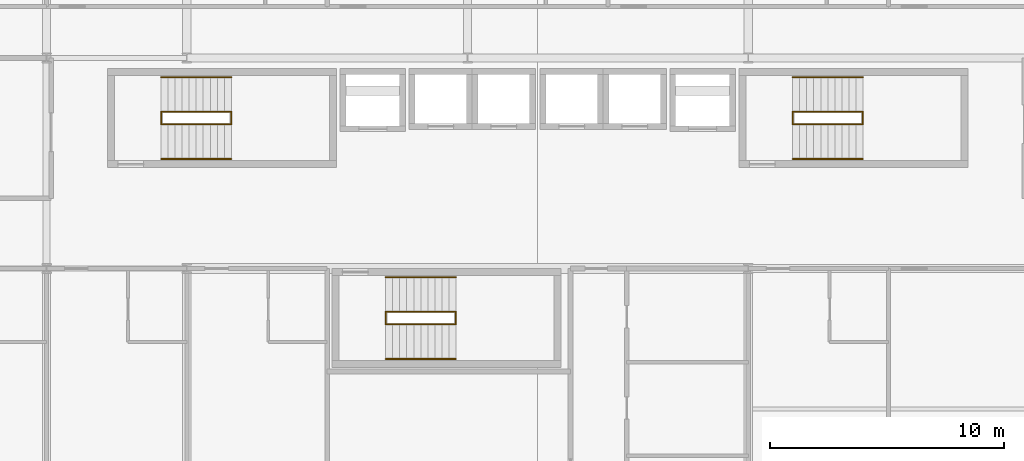
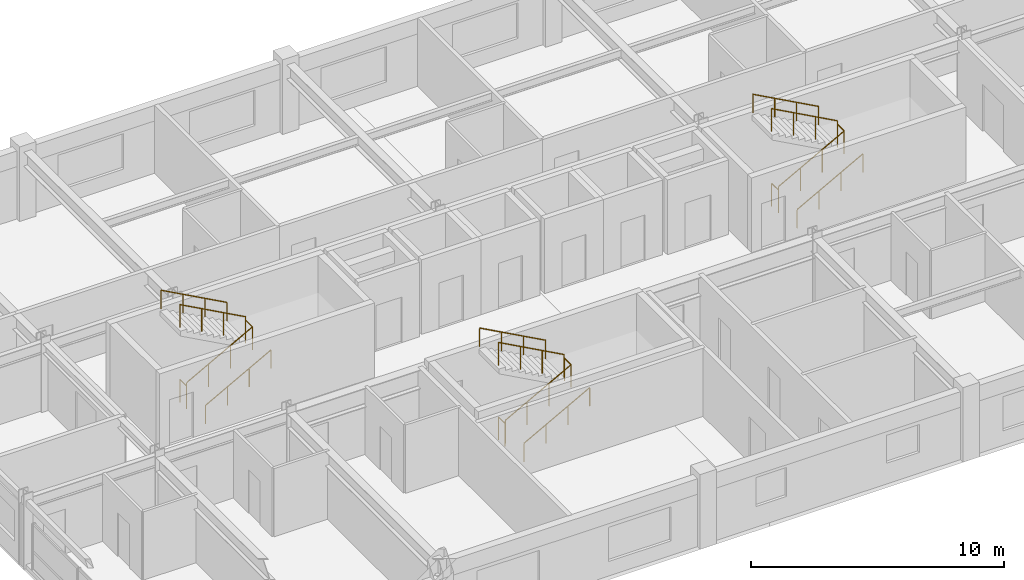
# One storey, part 20 of 20: 18 railings.
"""IFC4 building model written with IfcOpenShell, lengths in metres."""

from ifc_helpers import new_model, si_unit, direction, frame, origin, origin_2d, place, context, subcontext, project, spatial, circle, extrude, material, type_object, element, save


model = new_model("IFC4")

# Units and contexts
model_context = context("Model", 3, precision=1e-05, world=origin(), true_north=direction((0.0, 1.0)))
body_context = subcontext(model_context, "Body", "Model", "MODEL_VIEW")
ifc_project = project(units=[si_unit("LENGTHUNIT", "METRE"), si_unit("AREAUNIT", "SQUARE_METRE"), si_unit("VOLUMEUNIT", "CUBIC_METRE"), si_unit("PLANEANGLEUNIT", "RADIAN"), si_unit("MASSUNIT", "GRAM", prefix="KILO")], contexts=[model_context])

# Site, building, storey
site_placement = place(None, origin())
site = spatial("IfcSite", under=ifc_project, at=site_placement, CompositionType="ELEMENT")
building_placement = place(site_placement, origin())
building = spatial("IfcBuilding", under=site, at=building_placement, Name="Kaldorvane Square Convention Centre", CompositionType="ELEMENT")
storey_placement = place(building_placement, frame((0.0, 0.0, 56.399993896484375)))
storey = spatial("IfcBuildingStorey", under=building, at=storey_placement, Name="L13", CompositionType="ELEMENT", Elevation=56.399993896484375)

# Railings
ifc_material = material(Name="Architectural Painted Steel", Category="steel")
railing_type_1 = type_object("IfcRailingType", Name="RL-GUARD-1120", PredefinedType="BALUSTRADE", material=ifc_material)
for number, where, name in (
    (1, (40.899993896484375, 102.16999816894531, 0.0), "Tower Exit Stair T1 Floor Well Guard (L13)"),
    (2, (43.899993896484375, 102.16999816894531, 1.8000030517578125), "Tower Exit Stair T1 Half-Landing Guard (L13)"),
):
    element("IfcRailing", number, at=place(storey_placement, frame(where)), inside=storey, type_object=railing_type_1, Name=name, PredefinedType="BALUSTRADE", context=body_context, shape_type="SweptSolid", body=[
        extrude(circle(Radius=0.0240020751953125, at=origin_2d()), frame((0.0, 0.0, 1.0959930419921875), z_axis=(0.0, 1.0, 0.0), x_axis=(-1.0, 0.0, 0.0)), (0.0, 0.0, 1.0), 0.5200042724609375),
        extrude(circle(Radius=0.02099609375, at=origin_2d()), origin(), (0.0, 0.0, 1.0), 1.071990966796875),
        extrude(circle(Radius=0.02099609375, at=origin_2d()), frame((0.0, 0.5200042724609375, 0.0)), (0.0, 0.0, 1.0), 1.071990966796875),
    ])
railing_1_placement = place(storey_placement, frame((40.899993896484375, 102.16000366210938, 0.16363525390625)))
element("IfcRailing", 3, at=railing_1_placement, inside=storey, type_object=railing_type_1, Name="Tower Exit Stair T1 Flight 1 Guard (L13)", PredefinedType="BALUSTRADE", context=body_context, shape_type="SweptSolid", body=[
    extrude(circle(Radius=0.0240020751953125, at=origin_2d()), frame((0.0, 0.0, 1.0959930419921875), z_axis=(0.87789506098, 0.0, 0.478853069227), x_axis=(0.0, 1.0, 0.0)), (0.0, 0.0, 1.0), 3.417266845703125),
    extrude(circle(Radius=0.02099609375, at=origin_2d()), origin(), (0.0, 0.0, 1.0), 1.071990966796875),
    extrude(circle(Radius=0.02099609375, at=origin_2d()), frame((1.0, 0.0, 0.5454559326171875)), (0.0, 0.0, 1.0), 1.071990966796875),
    extrude(circle(Radius=0.02099609375, at=origin_2d()), frame((2.0, 0.0, 1.090911865234375)), (0.0, 0.0, 1.0), 1.071990966796875),
    extrude(circle(Radius=0.02099609375, at=origin_2d()), frame((3.0, 0.0, 1.6363677978515625)), (0.0, 0.0, 1.0), 1.071990966796875),
])
railing_2_placement = place(storey_placement, frame((43.899993896484375, 102.69999694824219, 1.9636383056640625)))
element("IfcRailing", 4, at=railing_2_placement, inside=storey, type_object=railing_type_1, Name="Tower Exit Stair T1 Flight 2 Guard (L13)", PredefinedType="BALUSTRADE", context=body_context, shape_type="SweptSolid", body=[
    extrude(circle(Radius=0.0240020751953125, at=origin_2d()), frame((0.0, 0.0, 1.0959930419921875), z_axis=(-0.87789506098, 0.0, 0.478853069227), x_axis=(0.0, -1.0, 0.0)), (0.0, 0.0, 1.0), 3.417266845703125),
    extrude(circle(Radius=0.02099609375, at=origin_2d()), origin(), (0.0, 0.0, 1.0), 1.071990966796875),
    extrude(circle(Radius=0.02099609375, at=origin_2d()), frame((-1.0, 0.0, 0.5454559326171875)), (0.0, 0.0, 1.0), 1.071990966796875),
    extrude(circle(Radius=0.02099609375, at=origin_2d()), frame((-2.0, 0.0, 1.090911865234375)), (0.0, 0.0, 1.0), 1.071990966796875),
    extrude(circle(Radius=0.02099609375, at=origin_2d()), frame((-3.0, 0.0, 1.6363677978515625)), (0.0, 0.0, 1.0), 1.071990966796875),
])
for number, where, name in (
    (5, (67.89999389648438, 102.16999816894531, 0.0), "Tower Exit Stair T2 Floor Well Guard (L13)"),
    (6, (70.89999389648438, 102.16999816894531, 1.8000030517578125), "Tower Exit Stair T2 Half-Landing Guard (L13)"),
):
    element("IfcRailing", number, at=place(storey_placement, frame(where)), inside=storey, type_object=railing_type_1, Name=name, PredefinedType="BALUSTRADE", context=body_context, shape_type="SweptSolid", body=[
        extrude(circle(Radius=0.0240020751953125, at=origin_2d()), frame((0.0, 0.0, 1.0959930419921875), z_axis=(0.0, 1.0, 0.0), x_axis=(-1.0, 0.0, 0.0)), (0.0, 0.0, 1.0), 0.5200042724609375),
        extrude(circle(Radius=0.02099609375, at=origin_2d()), origin(), (0.0, 0.0, 1.0), 1.071990966796875),
        extrude(circle(Radius=0.02099609375, at=origin_2d()), frame((0.0, 0.5200042724609375, 0.0)), (0.0, 0.0, 1.0), 1.071990966796875),
    ])
railing_3_placement = place(storey_placement, frame((67.89999389648438, 102.16000366210938, 0.16363525390625)))
element("IfcRailing", 7, at=railing_3_placement, inside=storey, type_object=railing_type_1, Name="Tower Exit Stair T2 Flight 1 Guard (L13)", PredefinedType="BALUSTRADE", context=body_context, shape_type="SweptSolid", body=[
    extrude(circle(Radius=0.0240020751953125, at=origin_2d()), frame((0.0, 0.0, 1.0959930419921875), z_axis=(0.87789506098, 0.0, 0.478853069227), x_axis=(0.0, 1.0, 0.0)), (0.0, 0.0, 1.0), 3.417266845703125),
    extrude(circle(Radius=0.02099609375, at=origin_2d()), origin(), (0.0, 0.0, 1.0), 1.071990966796875),
    extrude(circle(Radius=0.02099609375, at=origin_2d()), frame((1.0, 0.0, 0.5454559326171875)), (0.0, 0.0, 1.0), 1.071990966796875),
    extrude(circle(Radius=0.02099609375, at=origin_2d()), frame((2.0, 0.0, 1.090911865234375)), (0.0, 0.0, 1.0), 1.071990966796875),
    extrude(circle(Radius=0.02099609375, at=origin_2d()), frame((3.0, 0.0, 1.6363677978515625)), (0.0, 0.0, 1.0), 1.071990966796875),
])
railing_4_placement = place(storey_placement, frame((70.89999389648438, 102.69999694824219, 1.9636383056640625)))
element("IfcRailing", 8, at=railing_4_placement, inside=storey, type_object=railing_type_1, Name="Tower Exit Stair T2 Flight 2 Guard (L13)", PredefinedType="BALUSTRADE", context=body_context, shape_type="SweptSolid", body=[
    extrude(circle(Radius=0.0240020751953125, at=origin_2d()), frame((0.0, 0.0, 1.0959930419921875), z_axis=(-0.87789506098, 0.0, 0.478853069227), x_axis=(0.0, -1.0, 0.0)), (0.0, 0.0, 1.0), 3.417266845703125),
    extrude(circle(Radius=0.02099609375, at=origin_2d()), origin(), (0.0, 0.0, 1.0), 1.071990966796875),
    extrude(circle(Radius=0.02099609375, at=origin_2d()), frame((-1.0, 0.0, 0.5454559326171875)), (0.0, 0.0, 1.0), 1.071990966796875),
    extrude(circle(Radius=0.02099609375, at=origin_2d()), frame((-2.0, 0.0, 1.090911865234375)), (0.0, 0.0, 1.0), 1.071990966796875),
    extrude(circle(Radius=0.02099609375, at=origin_2d()), frame((-3.0, 0.0, 1.6363677978515625)), (0.0, 0.0, 1.0), 1.071990966796875),
])
for number, where, name in (
    (9, (50.5, 93.6199951171875, 0.0), "Tower Exit Stair T3 Floor Well Guard (L13)"),
    (10, (53.5, 93.6199951171875, 1.8000030517578125), "Tower Exit Stair T3 Half-Landing Guard (L13)"),
):
    element("IfcRailing", number, at=place(storey_placement, frame(where)), inside=storey, type_object=railing_type_1, Name=name, PredefinedType="BALUSTRADE", context=body_context, shape_type="SweptSolid", body=[
        extrude(circle(Radius=0.0240020751953125, at=origin_2d()), frame((0.0, 0.0, 1.0959930419921875), z_axis=(0.0, 1.0, 0.0), x_axis=(-1.0, 0.0, 0.0)), (0.0, 0.0, 1.0), 0.5200042724609375),
        extrude(circle(Radius=0.02099609375, at=origin_2d()), origin(), (0.0, 0.0, 1.0), 1.071990966796875),
        extrude(circle(Radius=0.02099609375, at=origin_2d()), frame((0.0, 0.5200042724609375, 0.0)), (0.0, 0.0, 1.0), 1.071990966796875),
    ])
railing_5_placement = place(storey_placement, frame((50.5, 93.61000061035156, 0.16363525390625)))
element("IfcRailing", 11, at=railing_5_placement, inside=storey, type_object=railing_type_1, Name="Tower Exit Stair T3 Flight 1 Guard (L13)", PredefinedType="BALUSTRADE", context=body_context, shape_type="SweptSolid", body=[
    extrude(circle(Radius=0.0240020751953125, at=origin_2d()), frame((0.0, 0.0, 1.0959930419921875), z_axis=(0.87789506098, 0.0, 0.478853069227), x_axis=(0.0, 1.0, 0.0)), (0.0, 0.0, 1.0), 3.417266845703125),
    extrude(circle(Radius=0.02099609375, at=origin_2d()), origin(), (0.0, 0.0, 1.0), 1.071990966796875),
    extrude(circle(Radius=0.02099609375, at=origin_2d()), frame((1.0, 0.0, 0.5454559326171875)), (0.0, 0.0, 1.0), 1.071990966796875),
    extrude(circle(Radius=0.02099609375, at=origin_2d()), frame((2.0, 0.0, 1.090911865234375)), (0.0, 0.0, 1.0), 1.071990966796875),
    extrude(circle(Radius=0.02099609375, at=origin_2d()), frame((3.0, 0.0, 1.6363677978515625)), (0.0, 0.0, 1.0), 1.071990966796875),
])
railing_6_placement = place(storey_placement, frame((53.5, 94.14999389648438, 1.9636383056640625)))
element("IfcRailing", 12, at=railing_6_placement, inside=storey, type_object=railing_type_1, Name="Tower Exit Stair T3 Flight 2 Guard (L13)", PredefinedType="BALUSTRADE", context=body_context, shape_type="SweptSolid", body=[
    extrude(circle(Radius=0.0240020751953125, at=origin_2d()), frame((0.0, 0.0, 1.0959930419921875), z_axis=(-0.87789506098, 0.0, 0.478853069227), x_axis=(0.0, -1.0, 0.0)), (0.0, 0.0, 1.0), 3.417266845703125),
    extrude(circle(Radius=0.02099609375, at=origin_2d()), origin(), (0.0, 0.0, 1.0), 1.071990966796875),
    extrude(circle(Radius=0.02099609375, at=origin_2d()), frame((-1.0, 0.0, 0.5454559326171875)), (0.0, 0.0, 1.0), 1.071990966796875),
    extrude(circle(Radius=0.02099609375, at=origin_2d()), frame((-2.0, 0.0, 1.090911865234375)), (0.0, 0.0, 1.0), 1.071990966796875),
    extrude(circle(Radius=0.02099609375, at=origin_2d()), frame((-3.0, 0.0, 1.6363677978515625)), (0.0, 0.0, 1.0), 1.071990966796875),
])
railing_type_2 = type_object("IfcRailingType", Name="RL-HAND-915", PredefinedType="HANDRAIL", material=ifc_material)
railing_7_placement = place(storey_placement, frame((40.899993896484375, 100.67999267578125, 0.16363525390625)))
element("IfcRailing", 13, at=railing_7_placement, inside=storey, type_object=railing_type_2, Name="Tower Exit Stair T1 Wall Handrail 1 (L13)", PredefinedType="HANDRAIL", context=body_context, shape_type="SweptSolid", body=[
    extrude(circle(Radius=0.0240020751953125, at=origin_2d()), frame((0.0, 0.0, 0.8909912109375), z_axis=(0.87789506098, 0.0, 0.478853069227), x_axis=(0.0, 1.0, 0.0)), (0.0, 0.0, 1.0), 3.417266845703125),
    extrude(circle(Radius=0.02099609375, at=origin_2d()), origin(), (0.0, 0.0, 1.0), 0.8669891357421875),
    extrude(circle(Radius=0.02099609375, at=origin_2d()), frame((1.0, 0.0, 0.5454559326171875)), (0.0, 0.0, 1.0), 0.8669891357421875),
    extrude(circle(Radius=0.02099609375, at=origin_2d()), frame((2.0, 0.0, 1.090911865234375)), (0.0, 0.0, 1.0), 0.8669891357421875),
    extrude(circle(Radius=0.02099609375, at=origin_2d()), frame((3.0, 0.0, 1.6363677978515625)), (0.0, 0.0, 1.0), 0.8669891357421875),
])
railing_8_placement = place(storey_placement, frame((43.899993896484375, 104.17999267578125, 1.9636383056640625)))
element("IfcRailing", 14, at=railing_8_placement, inside=storey, type_object=railing_type_2, Name="Tower Exit Stair T1 Wall Handrail 2 (L13)", PredefinedType="HANDRAIL", context=body_context, shape_type="SweptSolid", body=[
    extrude(circle(Radius=0.0240020751953125, at=origin_2d()), frame((0.0, 0.0, 0.8909912109375), z_axis=(-0.87789506098, 0.0, 0.478853069227), x_axis=(0.0, -1.0, 0.0)), (0.0, 0.0, 1.0), 3.417266845703125),
    extrude(circle(Radius=0.02099609375, at=origin_2d()), origin(), (0.0, 0.0, 1.0), 0.8669891357421875),
    extrude(circle(Radius=0.02099609375, at=origin_2d()), frame((-1.0, 0.0, 0.5454559326171875)), (0.0, 0.0, 1.0), 0.8669891357421875),
    extrude(circle(Radius=0.02099609375, at=origin_2d()), frame((-2.0, 0.0, 1.090911865234375)), (0.0, 0.0, 1.0), 0.8669891357421875),
    extrude(circle(Radius=0.02099609375, at=origin_2d()), frame((-3.0, 0.0, 1.6363677978515625)), (0.0, 0.0, 1.0), 0.8669891357421875),
])
railing_9_placement = place(storey_placement, frame((67.89999389648438, 100.67999267578125, 0.16363525390625)))
element("IfcRailing", 15, at=railing_9_placement, inside=storey, type_object=railing_type_2, Name="Tower Exit Stair T2 Wall Handrail 1 (L13)", PredefinedType="HANDRAIL", context=body_context, shape_type="SweptSolid", body=[
    extrude(circle(Radius=0.0240020751953125, at=origin_2d()), frame((0.0, 0.0, 0.8909912109375), z_axis=(0.87789506098, 0.0, 0.478853069227), x_axis=(0.0, 1.0, 0.0)), (0.0, 0.0, 1.0), 3.417266845703125),
    extrude(circle(Radius=0.02099609375, at=origin_2d()), origin(), (0.0, 0.0, 1.0), 0.8669891357421875),
    extrude(circle(Radius=0.02099609375, at=origin_2d()), frame((1.0, 0.0, 0.5454559326171875)), (0.0, 0.0, 1.0), 0.8669891357421875),
    extrude(circle(Radius=0.02099609375, at=origin_2d()), frame((2.0, 0.0, 1.090911865234375)), (0.0, 0.0, 1.0), 0.8669891357421875),
    extrude(circle(Radius=0.02099609375, at=origin_2d()), frame((3.0, 0.0, 1.6363677978515625)), (0.0, 0.0, 1.0), 0.8669891357421875),
])
railing_10_placement = place(storey_placement, frame((70.89999389648438, 104.17999267578125, 1.9636383056640625)))
element("IfcRailing", 16, at=railing_10_placement, inside=storey, type_object=railing_type_2, Name="Tower Exit Stair T2 Wall Handrail 2 (L13)", PredefinedType="HANDRAIL", context=body_context, shape_type="SweptSolid", body=[
    extrude(circle(Radius=0.0240020751953125, at=origin_2d()), frame((0.0, 0.0, 0.8909912109375), z_axis=(-0.87789506098, 0.0, 0.478853069227), x_axis=(0.0, -1.0, 0.0)), (0.0, 0.0, 1.0), 3.417266845703125),
    extrude(circle(Radius=0.02099609375, at=origin_2d()), origin(), (0.0, 0.0, 1.0), 0.8669891357421875),
    extrude(circle(Radius=0.02099609375, at=origin_2d()), frame((-1.0, 0.0, 0.5454559326171875)), (0.0, 0.0, 1.0), 0.8669891357421875),
    extrude(circle(Radius=0.02099609375, at=origin_2d()), frame((-2.0, 0.0, 1.090911865234375)), (0.0, 0.0, 1.0), 0.8669891357421875),
    extrude(circle(Radius=0.02099609375, at=origin_2d()), frame((-3.0, 0.0, 1.6363677978515625)), (0.0, 0.0, 1.0), 0.8669891357421875),
])
railing_11_placement = place(storey_placement, frame((50.5, 92.1300048828125, 0.16363525390625)))
element("IfcRailing", 17, at=railing_11_placement, inside=storey, type_object=railing_type_2, Name="Tower Exit Stair T3 Wall Handrail 1 (L13)", PredefinedType="HANDRAIL", context=body_context, shape_type="SweptSolid", body=[
    extrude(circle(Radius=0.0240020751953125, at=origin_2d()), frame((0.0, 0.0, 0.8909912109375), z_axis=(0.87789506098, 0.0, 0.478853069227), x_axis=(0.0, 1.0, 0.0)), (0.0, 0.0, 1.0), 3.417266845703125),
    extrude(circle(Radius=0.02099609375, at=origin_2d()), origin(), (0.0, 0.0, 1.0), 0.8669891357421875),
    extrude(circle(Radius=0.02099609375, at=origin_2d()), frame((1.0, 0.0, 0.5454559326171875)), (0.0, 0.0, 1.0), 0.8669891357421875),
    extrude(circle(Radius=0.02099609375, at=origin_2d()), frame((2.0, 0.0, 1.090911865234375)), (0.0, 0.0, 1.0), 0.8669891357421875),
    extrude(circle(Radius=0.02099609375, at=origin_2d()), frame((3.0, 0.0, 1.6363677978515625)), (0.0, 0.0, 1.0), 0.8669891357421875),
])
railing_12_placement = place(storey_placement, frame((53.5, 95.6300048828125, 1.9636383056640625)))
element("IfcRailing", 18, at=railing_12_placement, inside=storey, type_object=railing_type_2, Name="Tower Exit Stair T3 Wall Handrail 2 (L13)", PredefinedType="HANDRAIL", context=body_context, shape_type="SweptSolid", body=[
    extrude(circle(Radius=0.0240020751953125, at=origin_2d()), frame((0.0, 0.0, 0.8909912109375), z_axis=(-0.87789506098, 0.0, 0.478853069227), x_axis=(0.0, -1.0, 0.0)), (0.0, 0.0, 1.0), 3.417266845703125),
    extrude(circle(Radius=0.02099609375, at=origin_2d()), origin(), (0.0, 0.0, 1.0), 0.8669891357421875),
    extrude(circle(Radius=0.02099609375, at=origin_2d()), frame((-1.0, 0.0, 0.5454559326171875)), (0.0, 0.0, 1.0), 0.8669891357421875),
    extrude(circle(Radius=0.02099609375, at=origin_2d()), frame((-2.0, 0.0, 1.090911865234375)), (0.0, 0.0, 1.0), 0.8669891357421875),
    extrude(circle(Radius=0.02099609375, at=origin_2d()), frame((-3.0, 0.0, 1.6363677978515625)), (0.0, 0.0, 1.0), 0.8669891357421875),
])

save(model, "model.ifc")
